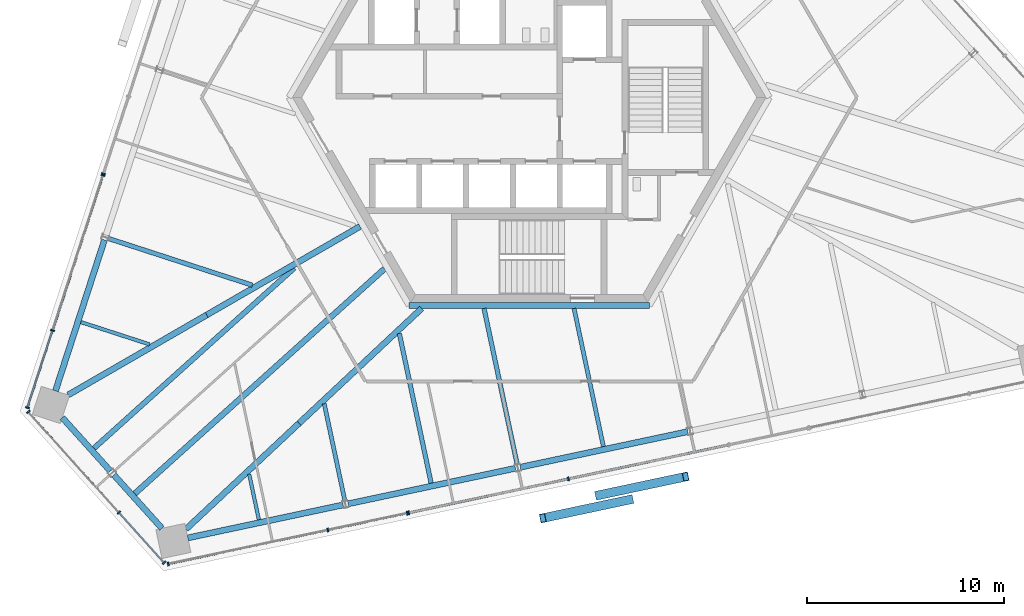
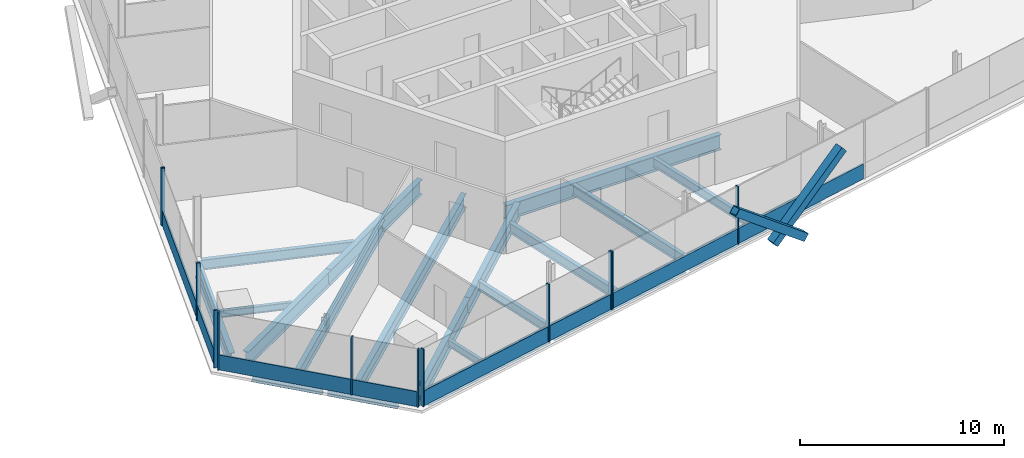
# One storey, part 4 of 15: 22 members, 20 beams, 5 elements without a shape of their own.
"""IFC4 building model written with IfcOpenShell, lengths in metres."""

from ifc_helpers import new_model, si_unit, direction, frame, origin, origin_2d, place, context, subcontext, project, spatial, rectangle, hollow_rectangle, i_section, extrude, source, transform, mapped, material, material_profile, profile_set, type_object, element, aggregate, save


model = new_model("IFC4")

# Units and contexts
model_context = context("Model", 3, precision=1e-05, world=origin(), true_north=direction((0.0, 1.0)))
body_context = subcontext(model_context, "Body", "Model", "MODEL_VIEW")
ifc_project = project(units=[si_unit("LENGTHUNIT", "METRE"), si_unit("AREAUNIT", "SQUARE_METRE"), si_unit("VOLUMEUNIT", "CUBIC_METRE"), si_unit("PLANEANGLEUNIT", "RADIAN"), si_unit("MASSUNIT", "GRAM", prefix="KILO")], contexts=[model_context])

# Site, building, storey
site_placement = place(None, origin())
site = spatial("IfcSite", under=ifc_project, at=site_placement, CompositionType="ELEMENT")
building_placement = place(site_placement, origin())
building = spatial("IfcBuilding", under=site, at=building_placement, Name="Triune Harvest Tower", CompositionType="ELEMENT")
storey_placement = place(building_placement, frame((0.0, 0.0, 277.5)))
storey = spatial("IfcBuildingStorey", under=building, at=storey_placement, Name="L73", CompositionType="ELEMENT", Elevation=277.5)

# Beams
ifc_material_1 = material(Name="Steel ASTM A992 Gr 50", Category="steel")
ifc_material_profile_1 = material_profile(ifc_material_1, i_section(OverallWidth=0.3046875, OverallDepth=0.914306640625, WebThickness=0.0166015625, FlangeThickness=0.02587890625, at=origin_2d()), Name="W36x160")
ifc_profile_set_1 = profile_set([ifc_material_profile_1], Name="Steel ASTM A992 Gr 50")
beam_type_1 = type_object("IfcBeamType", Name="CG-1 Core ring girder W36x160", PredefinedType="BEAM", material=ifc_profile_set_1)
shared_shape_1 = source(origin(), body_context, "Body", "SweptSolid", [
    extrude(i_section(OverallWidth=0.3046875, OverallDepth=0.914306640625, WebThickness=0.0166015625, FlangeThickness=0.02587890625, at=origin_2d()), origin(), (0.0, 0.0, 1.0), 12.17578125),
])
beam_1_placement = place(storey_placement, frame((-6.087890625, -10.544677734375, -0.6171875), z_axis=(1.0, 0.0, 0.0), x_axis=(0.0, 1.0, 0.0)))
element("IfcBeam", 1, at=beam_1_placement, inside=storey, type_object=beam_type_1, Name="beam/L73/CG5", PredefinedType="BEAM", context=body_context, shape_type="MappedRepresentation", body=[
    mapped(shared_shape_1, transform((0.0, 0.0, 0.0), scale=1.0)),
])
ifc_material_2 = material(Name="Steel ASTM A992 Gr 50", Category="steel")
ifc_material_profile_2 = material_profile(ifc_material_2, i_section(OverallWidth=0.3046875, OverallDepth=0.914306640625, WebThickness=0.0166015625, FlangeThickness=0.02587890625, at=origin_2d()), Name="W36x160")
ifc_profile_set_2 = profile_set([ifc_material_profile_2], Name="Steel ASTM A992 Gr 50")
beam_type_2 = type_object("IfcBeamType", Name="HG-3 Hip girder W36x160", PredefinedType="BEAM", material=ifc_profile_set_2)
shared_shape_2 = source(origin(), body_context, "Body", "SweptSolid", [
    extrude(i_section(OverallWidth=0.3046875, OverallDepth=0.914306640625, WebThickness=0.0166015625, FlangeThickness=0.02587890625, at=origin_2d()), origin(), (0.0, 0.0, 1.0), 8.97265625),
])
beam_2_placement = place(storey_placement, frame((-16.34619140625, -11.02734375, -0.6171875), z_axis=(0.866024277037, 0.500001951578, 0.0), x_axis=(-0.500001951578, 0.866024277037, 0.0)))
element("IfcBeam", 2, at=beam_2_placement, inside=storey, type_object=beam_type_2, Name="beam/L73/HG5", PredefinedType="BEAM", context=body_context, shape_type="MappedRepresentation", body=[
    mapped(shared_shape_2, transform((0.0, 0.0, 0.0), scale=1.0)),
])
ifc_material_3 = material(Name="Steel ASTM A992 Gr 50", Category="steel")
ifc_material_profile_3 = material_profile(ifc_material_3, i_section(OverallWidth=0.3046875, OverallDepth=0.914306640625, WebThickness=0.0166015625, FlangeThickness=0.02587890625, at=origin_2d()), Name="W36x160")
ifc_profile_set_3 = profile_set([ifc_material_profile_3], Name="Steel ASTM A992 Gr 50")
beam_type_3 = type_object("IfcBeamType", Name="SB-1 Spandrel beam W36x160", PredefinedType="SPANDREL", material=ifc_profile_set_3)
shared_shape_3 = source(origin(), body_context, "Body", "SweptSolid", [
    extrude(i_section(OverallWidth=0.3046875, OverallDepth=0.914306640625, WebThickness=0.0166015625, FlangeThickness=0.02587890625, at=origin_2d()), origin(), (0.0, 0.0, 1.0), 8.0498046875),
])
beam_3_placement = place(storey_placement, frame((-21.529296875, -7.220703125, -0.6171875), z_axis=(-0.30902160762, -0.951055017348, 0.0), x_axis=(0.951055017348, -0.30902160762, 0.0)))
element("IfcBeam", 3, at=beam_3_placement, inside=storey, type_object=beam_type_3, Name="beam/L73/SB12", PredefinedType="SPANDREL", context=body_context, shape_type="MappedRepresentation", body=[
    mapped(shared_shape_3, transform((0.0, 0.0, 0.0), scale=1.0)),
])
shared_shape_4 = source(origin(), body_context, "Body", "SweptSolid", [
    extrude(i_section(OverallWidth=0.3046875, OverallDepth=0.914306640625, WebThickness=0.0166015625, FlangeThickness=0.02587890625, at=origin_2d()), origin(), (0.0, 0.0, 1.0), 8.67138671875),
])
for number, where, z_axis, x_axis, name in (
    (4, (-9.1806640625, -20.603271484375, -0.6171875), (0.978145539793, 0.207921386546, 0.0), (-0.207921386546, 0.978145539793, 0.0), "beam/L73/SB16"),
    (5, (-0.44775390625, -18.7470703125, -0.6171875), (0.978145539793, 0.207921386546, 0.0), (-0.207921386546, 0.978145539793, 0.0), "beam/L73/SB17"),
):
    element("IfcBeam", number, at=place(storey_placement, frame(where, z_axis=z_axis, x_axis=x_axis)), inside=storey, type_object=beam_type_3, Name=name, PredefinedType="SPANDREL", context=body_context, shape_type="MappedRepresentation", body=[
        mapped(shared_shape_4, transform((0.0, 0.0, 0.0), scale=1.0)),
    ])
shared_shape_5 = source(origin(), body_context, "Body", "SweptSolid", [
    extrude(i_section(OverallWidth=0.3046875, OverallDepth=0.914306640625, WebThickness=0.0166015625, FlangeThickness=0.02587890625, at=origin_2d()), origin(), (0.0, 0.0, 1.0), 3.645751953125),
])
for number, where, z_axis, x_axis, name in (
    (6, (-23.669189453125, -16.2333984375, -0.6171875), (0.669138606654, -0.743137621901, 0.0), (0.743137621901, 0.669138606654, 0.0), "beam/L73/SB13"),
    (7, (-21.05810546875, -19.13330078125, -0.6171875), (0.669138606654, -0.743137621901, 0.0), (0.743137621901, 0.669138606654, 0.0), "beam/L73/SB14"),
):
    element("IfcBeam", number, at=place(storey_placement, frame(where, z_axis=z_axis, x_axis=x_axis)), inside=storey, type_object=beam_type_3, Name=name, PredefinedType="SPANDREL", context=body_context, shape_type="MappedRepresentation", body=[
        mapped(shared_shape_5, transform((0.0, 0.0, 0.0), scale=1.0)),
    ])
shared_shape_6 = source(origin(), body_context, "Body", "SweptSolid", [
    extrude(i_section(OverallWidth=0.3046875, OverallDepth=0.914306640625, WebThickness=0.0166015625, FlangeThickness=0.02587890625, at=origin_2d()), origin(), (0.0, 0.0, 1.0), 8.049560546875),
])
beam_4_placement = place(storey_placement, frame((-17.305419921875, -22.330322265625, -0.6171875), z_axis=(0.978148597907, 0.207906999431, 0.0), x_axis=(-0.207906999431, 0.978148597907, 0.0)))
element("IfcBeam", 8, at=beam_4_placement, inside=storey, type_object=beam_type_3, Name="beam/L73/SB15", PredefinedType="SPANDREL", context=body_context, shape_type="MappedRepresentation", body=[
    mapped(shared_shape_6, transform((0.0, 0.0, 0.0), scale=1.0)),
])
shared_shape_7 = source(origin(), body_context, "Body", "SweptSolid", [
    extrude(i_section(OverallWidth=0.3046875, OverallDepth=0.914306640625, WebThickness=0.0166015625, FlangeThickness=0.02587890625, at=origin_2d()), origin(), (0.0, 0.0, 1.0), 8.11572265625),
])
beam_5_placement = place(storey_placement, frame((-23.37451171875, -15.085205078125, -0.6171875), z_axis=(0.866022271607, 0.500005425051, 0.0), x_axis=(-0.500005425051, 0.866022271607, 0.0)))
element("IfcBeam", 9, at=beam_5_placement, inside=storey, type_object=beam_type_2, Name="beam/L73/HG4", PredefinedType="BEAM", context=body_context, shape_type="MappedRepresentation", body=[
    mapped(shared_shape_7, transform((0.0, 0.0, 0.0), scale=1.0)),
])
shared_shape_8 = source(origin(), body_context, "Body", "SweptSolid", [
    extrude(i_section(OverallWidth=0.3046875, OverallDepth=0.914306640625, WebThickness=0.0166015625, FlangeThickness=0.02587890625, at=origin_2d()), origin(), (0.0, 0.0, 1.0), 7.858642578125),
])
beam_6_placement = place(storey_placement, frame((-17.399658203125, -21.88720703125, -0.6171875), z_axis=(0.729902338859, 0.683551443367, 0.0), x_axis=(-0.683551443367, 0.729902338859, 0.0)))
element("IfcBeam", 10, at=beam_6_placement, inside=storey, type_object=beam_type_2, Name="beam/L73/HG6", PredefinedType="BEAM", context=body_context, shape_type="MappedRepresentation", body=[
    mapped(shared_shape_8, transform((0.0, 0.0, 0.0), scale=1.0)),
])
shared_shape_9 = source(origin(), body_context, "Body", "SweptSolid", [
    extrude(i_section(OverallWidth=0.3046875, OverallDepth=0.914306640625, WebThickness=0.0166015625, FlangeThickness=0.02587890625, at=origin_2d()), origin(), (0.0, 0.0, 1.0), 8.511962890625),
])
beam_7_placement = place(storey_placement, frame((-11.66357421875, -16.515380859375, -0.6171875), z_axis=(0.729902036757, 0.683551765954, 0.0), x_axis=(-0.683551765954, 0.729902036757, 0.0)))
element("IfcBeam", 11, at=beam_7_placement, inside=storey, type_object=beam_type_2, Name="beam/L73/HG7", PredefinedType="BEAM", context=body_context, shape_type="MappedRepresentation", body=[
    mapped(shared_shape_9, transform((0.0, 0.0, 0.0), scale=1.0)),
])
ifc_material_4 = material(Name="Steel ASTM A992 Gr 50", Category="steel")
ifc_material_profile_4 = material_profile(ifc_material_4, i_section(OverallWidth=0.180908203125, OverallDepth=0.41650390625, WebThickness=0.010986328125, FlangeThickness=0.01806640625, at=origin_2d()), Name="W16x57")
ifc_profile_set_4 = profile_set([ifc_material_profile_4], Name="Steel ASTM A992 Gr 50")
beam_type_4 = type_object("IfcBeamType", Name="JT-1 Floor joist W16x57", PredefinedType="JOIST", material=ifc_profile_set_4)
shared_shape_10 = source(origin(), body_context, "Body", "SweptSolid", [
    extrude(i_section(OverallWidth=0.180908203125, OverallDepth=0.41650390625, WebThickness=0.010986328125, FlangeThickness=0.01806640625, at=origin_2d()), origin(), (0.0, 0.0, 1.0), 2.364990234375),
])
beam_8_placement = place(storey_placement, frame((-13.704345703125, -21.4091796875, -0.368408203125), z_axis=(-0.207914315996, 0.978147042731, 0.0), x_axis=(-0.978147042731, -0.207914315996, 0.0)))
element("IfcBeam", 12, at=beam_8_placement, inside=storey, type_object=beam_type_4, Name="beam/L73/JT23", PredefinedType="JOIST", context=body_context, shape_type="MappedRepresentation", body=[
    mapped(shared_shape_10, transform((0.0, 0.0, 0.0), scale=1.0)),
])
ifc_material_5 = material(Name="Steel ASTM A992 Gr 50", Category="steel")
ifc_material_profile_5 = material_profile(ifc_material_5, i_section(OverallWidth=0.2099609375, OverallDepth=0.535888671875, WebThickness=0.010986328125, FlangeThickness=0.017333984375, at=origin_2d()), Name="W21x68")
ifc_profile_set_5 = profile_set([ifc_material_profile_5], Name="Steel ASTM A992 Gr 50")
beam_type_5 = type_object("IfcBeamType", Name="JT-2 Floor joist W21x68", PredefinedType="JOIST", material=ifc_profile_set_5)
shared_shape_11 = source(origin(), body_context, "Body", "SweptSolid", [
    extrude(i_section(OverallWidth=0.2099609375, OverallDepth=0.535888671875, WebThickness=0.010986328125, FlangeThickness=0.017333984375, at=origin_2d()), origin(), (0.0, 0.0, 1.0), 5.031982421875),
])
beam_9_placement = place(storey_placement, frame((-9.34375, -20.45361328125, -0.427978515625), z_axis=(-0.207895312057, 0.978151082004, 0.0), x_axis=(-0.978151082004, -0.207895312057, 0.0)))
element("IfcBeam", 13, at=beam_9_placement, inside=storey, type_object=beam_type_5, Name="beam/L73/JT24", PredefinedType="JOIST", context=body_context, shape_type="MappedRepresentation", body=[
    mapped(shared_shape_11, transform((0.0, 0.0, 0.0), scale=1.0)),
])
ifc_material_6 = material(Name="Steel ASTM A992 Gr 50", Category="steel")
ifc_material_profile_6 = material_profile(ifc_material_6, i_section(OverallWidth=0.22900390625, OverallDepth=0.612060546875, WebThickness=0.011962890625, FlangeThickness=0.01953125, at=origin_2d()), Name="W24x84")
ifc_profile_set_6 = profile_set([ifc_material_profile_6], Name="Steel ASTM A992 Gr 50")
beam_type_6 = type_object("IfcBeamType", Name="JT-3 Floor joist W24x84", PredefinedType="JOIST", material=ifc_profile_set_6)
shared_shape_12 = source(origin(), body_context, "Body", "SweptSolid", [
    extrude(i_section(OverallWidth=0.22900390625, OverallDepth=0.612060546875, WebThickness=0.011962890625, FlangeThickness=0.01953125, at=origin_2d()), origin(), (0.0, 0.0, 1.0), 7.755126953125),
])
beam_10_placement = place(storey_placement, frame((-4.971435546875, -19.552734375, -0.466064453125), z_axis=(-0.20790130149, 0.978149808996, 0.0), x_axis=(-0.978149808996, -0.20790130149, 0.0)))
element("IfcBeam", 14, at=beam_10_placement, inside=storey, type_object=beam_type_6, Name="beam/L73/JT25", PredefinedType="JOIST", context=body_context, shape_type="MappedRepresentation", body=[
    mapped(shared_shape_12, transform((0.0, 0.0, 0.0), scale=1.0)),
])
shared_shape_13 = source(origin(), body_context, "Body", "SweptSolid", [
    extrude(i_section(OverallWidth=0.22900390625, OverallDepth=0.612060546875, WebThickness=0.011962890625, FlangeThickness=0.01953125, at=origin_2d()), origin(), (0.0, 0.0, 1.0), 8.076904296875),
])
beam_11_placement = place(storey_placement, frame((-0.61083984375, -18.597412109375, -0.466064453125), z_axis=(-0.207902137341, 0.978149631339, 0.0), x_axis=(-0.978149631339, -0.207902137341, 0.0)))
element("IfcBeam", 15, at=beam_11_placement, inside=storey, type_object=beam_type_6, Name="beam/L73/JT26", PredefinedType="JOIST", context=body_context, shape_type="MappedRepresentation", body=[
    mapped(shared_shape_13, transform((0.0, 0.0, 0.0), scale=1.0)),
])
shared_shape_14 = source(origin(), body_context, "Body", "SweptSolid", [
    extrude(i_section(OverallWidth=0.22900390625, OverallDepth=0.612060546875, WebThickness=0.011962890625, FlangeThickness=0.01953125, at=origin_2d()), origin(), (0.0, 0.0, 1.0), 7.6533203125),
])
beam_12_placement = place(storey_placement, frame((-21.318115234375, -7.154541015625, -0.466064453125), z_axis=(0.951057977144, -0.309012498309, 0.0), x_axis=(0.309012498309, 0.951057977144, 0.0)))
element("IfcBeam", 16, at=beam_12_placement, inside=storey, type_object=beam_type_6, Name="beam/L73/JT19", PredefinedType="JOIST", context=body_context, shape_type="MappedRepresentation", body=[
    mapped(shared_shape_14, transform((0.0, 0.0, 0.0), scale=1.0)),
])
shared_shape_15 = source(origin(), body_context, "Body", "SweptSolid", [
    extrude(i_section(OverallWidth=0.180908203125, OverallDepth=0.41650390625, WebThickness=0.010986328125, FlangeThickness=0.01806640625, at=origin_2d()), origin(), (0.0, 0.0, 1.0), 3.661865234375),
])
beam_13_placement = place(storey_placement, frame((-22.72412109375, -11.391357421875, -0.368408203125), z_axis=(0.951056113966, -0.309018232614, 0.0), x_axis=(0.309018232614, 0.951056113966, 0.0)))
element("IfcBeam", 17, at=beam_13_placement, inside=storey, type_object=beam_type_4, Name="beam/L73/JT20", PredefinedType="JOIST", context=body_context, shape_type="MappedRepresentation", body=[
    mapped(shared_shape_15, transform((0.0, 0.0, 0.0), scale=1.0)),
])
ifc_material_7 = material(Name="Steel ASTM A992 Gr 50", Category="steel")
ifc_material_profile_7 = material_profile(ifc_material_7, i_section(OverallWidth=0.2666015625, OverallDepth=0.7568359375, WebThickness=0.013916015625, FlangeThickness=0.019287109375, at=origin_2d()), Name="W30x108")
ifc_profile_set_7 = profile_set([ifc_material_profile_7], Name="Steel ASTM A992 Gr 50")
beam_type_7 = type_object("IfcBeamType", Name="JT-5 Floor joist W30x108", PredefinedType="JOIST", material=ifc_profile_set_7)
shared_shape_16 = source(origin(), body_context, "Body", "SweptSolid", [
    extrude(i_section(OverallWidth=0.2666015625, OverallDepth=0.7568359375, WebThickness=0.013916015625, FlangeThickness=0.019287109375, at=origin_2d()), origin(), (0.0, 0.0, 1.0), 13.667724609375),
])
beam_14_placement = place(storey_placement, frame((-22.0654296875, -17.78662109375, -0.53857421875), z_axis=(0.743148465952, 0.66912656318, 0.0), x_axis=(-0.66912656318, 0.743148465952, 0.0)))
element("IfcBeam", 18, at=beam_14_placement, inside=storey, type_object=beam_type_7, Name="beam/L73/JT21", PredefinedType="JOIST", context=body_context, shape_type="MappedRepresentation", body=[
    mapped(shared_shape_16, transform((0.0, 0.0, 0.0), scale=1.0)),
])
ifc_material_8 = material(Name="Steel ASTM A992 Gr 50", Category="steel")
ifc_material_profile_8 = material_profile(ifc_material_8, i_section(OverallWidth=0.2919921875, OverallDepth=0.8408203125, WebThickness=0.0146484375, FlangeThickness=0.021728515625, at=origin_2d()), Name="W33x130")
ifc_profile_set_8 = profile_set([ifc_material_profile_8], Name="Steel ASTM A992 Gr 50")
beam_type_8 = type_object("IfcBeamType", Name="JT-6 Floor joist W33x130", PredefinedType="JOIST", material=ifc_profile_set_8)
shared_shape_17 = source(origin(), body_context, "Body", "SweptSolid", [
    extrude(i_section(OverallWidth=0.2919921875, OverallDepth=0.8408203125, WebThickness=0.0146484375, FlangeThickness=0.021728515625, at=origin_2d()), origin(), (0.0, 0.0, 1.0), 17.03466796875),
])
beam_15_placement = place(storey_placement, frame((-19.99560546875, -20.08544921875, -0.580322265625), z_axis=(0.743143047387, 0.669132581123, 0.0), x_axis=(-0.669132581123, 0.743143047387, 0.0)))
element("IfcBeam", 19, at=beam_15_placement, inside=storey, type_object=beam_type_8, Name="beam/L73/JT22", PredefinedType="JOIST", context=body_context, shape_type="MappedRepresentation", body=[
    mapped(shared_shape_17, transform((0.0, 0.0, 0.0), scale=1.0)),
])
shared_shape_18 = source(origin(), body_context, "Body", "SweptSolid", [
    extrude(i_section(OverallWidth=0.2099609375, OverallDepth=0.535888671875, WebThickness=0.010986328125, FlangeThickness=0.017333984375, at=origin_2d()), origin(), (0.0, 0.0, 1.0), 7.156005859375),
])
beam_16_placement = place(storey_placement, frame((3.761474609375, -17.696533203125, -0.427978515625), z_axis=(-0.207911801049, 0.978147577303, 0.0), x_axis=(-0.978147577303, -0.207911801049, 0.0)))
element("IfcBeam", 20, at=beam_16_placement, inside=storey, type_object=beam_type_5, Name="beam/L73/JT27", PredefinedType="JOIST", context=body_context, shape_type="MappedRepresentation", body=[
    mapped(shared_shape_18, transform((0.0, 0.0, 0.0), scale=1.0)),
])

# Members
ifc_material_9 = material(Name="Steel ASTM A572 Gr 50", Category="steel")
ifc_material_profile_9 = material_profile(ifc_material_9, hollow_rectangle(XDim=0.449951171875, YDim=0.449951171875, WallThickness=0.02490234375, at=origin_2d()), Name="Box 450x450x25")
ifc_profile_set_9 = profile_set([ifc_material_profile_9], Name="Steel ASTM A572 Gr 50")
member_type_1 = type_object("IfcMemberType", Name="BR-4 Brace Box 450x450x25", PredefinedType="BRACE", material=ifc_profile_set_9)
shared_shape_19 = source(origin(), body_context, "Body", "SweptSolid", [
    extrude(hollow_rectangle(XDim=0.449951171875, YDim=0.449951171875, WallThickness=0.02490234375, at=origin_2d()), origin(), (0.0, 0.0, 1.0), 5.789306640625),
])
for number, where, z_axis, x_axis, name in (
    (21, (3.49755859375, -20.16845703125, 0.0), (0.766009436387, 0.162825502857, 0.621866061934), (-0.207918008245, 0.978146257902, 0.0), "brace/B7-F5/d1/6"),
    (22, (5.12255859375, -20.38525390625, 0.0), (-0.766026862196, -0.162820243046, 0.621845973572), (0.20790705694, -0.978148585683, 0.0), "brace/B7-F5/d2/6"),
):
    element("IfcMember", number, at=place(storey_placement, frame(where, z_axis=z_axis, x_axis=x_axis)), inside=storey, type_object=member_type_1, Name=name, PredefinedType="BRACE", context=body_context, shape_type="MappedRepresentation", body=[
        mapped(shared_shape_19, transform((0.0, 0.0, 0.0), scale=1.0)),
    ])

# Curtain wall, member
ifc_material_10 = material(Name="Aluminium bronze anodised", Category="aluminium")
curtain_wall_type_1 = type_object("IfcCurtainWallType", Name="CW-7 Tower stick curtain wall with insulated spandrel infill", PredefinedType="NOTDEFINED", material=ifc_material_10)
curtain_wall_1_placement = place(storey_placement, origin())
curtain_wall_1 = element("IfcCurtainWall", 23, at=curtain_wall_1_placement, inside=storey, type_object=curtain_wall_type_1, Name="CW-7 B7-F3 L73 run 1001")
ifc_material_11 = material(Name="Aluminium bronze anodised", Category="aluminium")
ifc_material_profile_10 = material_profile(ifc_material_11, rectangle(XDim=0.199951171875, YDim=0.074951171875, at=origin_2d()), Name="MU-1 mullion 75 x 200")
ifc_profile_set_10 = profile_set([ifc_material_profile_10], Name="Aluminium bronze anodised")
member_type_2 = type_object("IfcMemberType", Name="MU-1 mullion 75 x 200", PredefinedType="MULLION", material=ifc_profile_set_10)
shared_shape_20 = source(origin(), body_context, "Body", "SweptSolid", [
    extrude(rectangle(XDim=0.199951171875, YDim=0.074951171875, at=origin_2d()), origin(), (0.0, 0.0, 1.0), 3.43994140625),
])
member_1_placement = place(storey_placement, frame((-21.582763671875, -3.8720703125, 0.0), z_axis=(0.0, 0.0, 1.0), x_axis=(0.951055533932, -0.309020017761, 0.0)))
member_1 = element("IfcMember", 24, at=member_1_placement, type_object=member_type_2, Name="CW-7 mullion B7-F3 1001.6", PredefinedType="MULLION", context=body_context, shape_type="MappedRepresentation", body=[
    mapped(shared_shape_20, transform((0.0, 0.0, 0.0), scale=1.0)),
])
aggregate(curtain_wall_1, [member_1])

# Curtain wall, members
ifc_material_12 = material(Name="Aluminium bronze anodised", Category="aluminium")
curtain_wall_type_2 = type_object("IfcCurtainWallType", Name="CW-1 Tower stick curtain wall", PredefinedType="NOTDEFINED", material=ifc_material_12)
curtain_wall_2_placement = place(storey_placement, origin())
curtain_wall_2 = element("IfcCurtainWall", 25, at=curtain_wall_2_placement, inside=storey, type_object=curtain_wall_type_2, Name="CW-1 B7-F3 L73 run 2001")
member_2_placement = place(storey_placement, frame((-21.60595703125, -3.943359375, 0.0), z_axis=(0.0, 0.0, 1.0), x_axis=(0.951057715783, -0.309013302707, 0.0)))
member_2 = element("IfcMember", 26, at=member_2_placement, type_object=member_type_2, Name="CW-1 mullion B7-F3 2001.1", PredefinedType="MULLION", context=body_context, shape_type="MappedRepresentation", body=[
    mapped(shared_shape_20, transform((0.0, 0.0, 0.0), scale=1.0)),
])
member_3_placement = place(storey_placement, frame((-24.162841796875, -11.8125, 0.0), z_axis=(0.0, 0.0, 1.0), x_axis=(0.951057715783, -0.309013302707, 0.0)))
member_3 = element("IfcMember", 27, at=member_3_placement, type_object=member_type_2, Name="CW-1 mullion B7-F3 2001.3", PredefinedType="MULLION", context=body_context, shape_type="MappedRepresentation", body=[
    mapped(shared_shape_20, transform((0.0, 0.0, 0.0), scale=1.0)),
])
member_4_placement = place(storey_placement, frame((-25.435302734375, -15.729248046875, 0.0), z_axis=(0.0, 0.0, 1.0), x_axis=(0.951057715783, -0.309013302707, 0.0)))
member_4 = element("IfcMember", 28, at=member_4_placement, type_object=member_type_2, Name="CW-1 mullion B7-F3 2001.4", PredefinedType="MULLION", context=body_context, shape_type="MappedRepresentation", body=[
    mapped(shared_shape_20, transform((0.0, 0.0, 0.0), scale=1.0)),
])

curtain_wall_3_placement = place(storey_placement, origin())
curtain_wall_3 = element("IfcCurtainWall", 29, at=curtain_wall_3_placement, inside=storey, type_object=curtain_wall_type_2, Name="CW-1 B7-F4 L73 run 1")
member_5_placement = place(storey_placement, frame((-25.389404296875, -15.9453125, 0.0), z_axis=(0.0, 0.0, 1.0), x_axis=(0.743143542297, 0.669132031472, 0.0)))
member_5 = element("IfcMember", 30, at=member_5_placement, type_object=member_type_2, Name="CW-1 mullion B7-F4 1.1", PredefinedType="MULLION", context=body_context, shape_type="MappedRepresentation", body=[
    mapped(shared_shape_20, transform((0.0, 0.0, 0.0), scale=1.0)),
])
member_6_placement = place(storey_placement, frame((-20.7958984375, -21.046875, 0.0), z_axis=(0.0, 0.0, 1.0), x_axis=(0.743143542297, 0.669132031472, 0.0)))
member_6 = element("IfcMember", 31, at=member_6_placement, type_object=member_type_2, Name="CW-1 mullion B7-F4 1.3", PredefinedType="MULLION", context=body_context, shape_type="MappedRepresentation", body=[
    mapped(shared_shape_20, transform((0.0, 0.0, 0.0), scale=1.0)),
])
member_7_placement = place(storey_placement, frame((-18.51171875, -23.583740234375, 0.0), z_axis=(0.0, 0.0, 1.0), x_axis=(0.743143542297, 0.669132031472, 0.0)))
member_7 = element("IfcMember", 32, at=member_7_placement, type_object=member_type_2, Name="CW-1 mullion B7-F4 1.4", PredefinedType="MULLION", context=body_context, shape_type="MappedRepresentation", body=[
    mapped(shared_shape_20, transform((0.0, 0.0, 0.0), scale=1.0)),
])

curtain_wall_4_placement = place(storey_placement, origin())
curtain_wall_4 = element("IfcCurtainWall", 33, at=curtain_wall_4_placement, inside=storey, type_object=curtain_wall_type_2, Name="CW-1 B7-F5 L73 run 1")
member_8_placement = place(storey_placement, frame((-18.3017578125, -23.65185546875, 0.0), z_axis=(0.0, 0.0, 1.0), x_axis=(-0.207909221248, 0.978148125654, 0.0)))
member_8 = element("IfcMember", 34, at=member_8_placement, type_object=member_type_2, Name="CW-1 mullion B7-F5 1.1", PredefinedType="MULLION", context=body_context, shape_type="MappedRepresentation", body=[
    mapped(shared_shape_20, transform((0.0, 0.0, 0.0), scale=1.0)),
])
member_9_placement = place(storey_placement, frame((-10.20849609375, -21.931640625, 0.0), z_axis=(0.0, 0.0, 1.0), x_axis=(-0.207909221248, 0.978148125654, 0.0)))
member_9 = element("IfcMember", 35, at=member_9_placement, type_object=member_type_2, Name="CW-1 mullion B7-F5 1.3", PredefinedType="MULLION", context=body_context, shape_type="MappedRepresentation", body=[
    mapped(shared_shape_20, transform((0.0, 0.0, 0.0), scale=1.0)),
])
member_10_placement = place(storey_placement, frame((-6.18017578125, -21.075439453125, 0.0), z_axis=(0.0, 0.0, 1.0), x_axis=(-0.207909221248, 0.978148125654, 0.0)))
member_10 = element("IfcMember", 36, at=member_10_placement, type_object=member_type_2, Name="CW-1 mullion B7-F5 1.4", PredefinedType="MULLION", context=body_context, shape_type="MappedRepresentation", body=[
    mapped(shared_shape_20, transform((0.0, 0.0, 0.0), scale=1.0)),
])

curtain_wall_5_placement = place(storey_placement, origin())
curtain_wall_5 = element("IfcCurtainWall", 37, at=curtain_wall_5_placement, inside=storey, type_object=curtain_wall_type_1, Name="CW-7 B7-F5 L73 run 1001")
member_11_placement = place(storey_placement, frame((-6.10693359375, -21.059814453125, 0.0), z_axis=(0.0, 0.0, 1.0), x_axis=(-0.207913090389, 0.978147303245, 0.0)))
member_11 = element("IfcMember", 38, at=member_11_placement, type_object=member_type_2, Name="CW-7 mullion B7-F5 1001.1", PredefinedType="MULLION", context=body_context, shape_type="MappedRepresentation", body=[
    mapped(shared_shape_20, transform((0.0, 0.0, 0.0), scale=1.0)),
])
member_12_placement = place(storey_placement, frame((1.986328125, -19.339599609375, 0.0), z_axis=(0.0, 0.0, 1.0), x_axis=(-0.207913090389, 0.978147303245, 0.0)))
member_12 = element("IfcMember", 39, at=member_12_placement, type_object=member_type_2, Name="CW-7 mullion B7-F5 1001.3", PredefinedType="MULLION", context=body_context, shape_type="MappedRepresentation", body=[
    mapped(shared_shape_20, transform((0.0, 0.0, 0.0), scale=1.0)),
])

# Member
ifc_material_13 = material(Name="Aluminium bronze anodised", Category="aluminium")
ifc_material_profile_11 = material_profile(ifc_material_13, rectangle(XDim=0.090087890625, YDim=0.89990234375, at=origin_2d()), Name="TR-1 transom 90 x 900")
ifc_profile_set_11 = profile_set([ifc_material_profile_11], Name="Aluminium bronze anodised")
member_type_3 = type_object("IfcMemberType", Name="TR-1 transom 90 x 900", PredefinedType="USERDEFINED", material=ifc_profile_set_11)
shared_shape_21 = source(origin(), body_context, "Body", "SweptSolid", [
    extrude(rectangle(XDim=0.090087890625, YDim=0.89990234375, at=origin_2d()), origin(), (0.0, 0.0, 1.0), 6.7900390625),
])
member_13_placement = place(storey_placement, frame((-25.364501953125, -15.97314453125, 0.449951171875), z_axis=(0.669139526396, -0.743136793743, 0.0), x_axis=(0.743136793743, 0.669139526396, 0.0)))
member_13 = element("IfcMember", 40, at=member_13_placement, type_object=member_type_3, Name="CW-1 transom B7-F4 1.1", ObjectType="TRANSOM", PredefinedType="USERDEFINED", context=body_context, shape_type="MappedRepresentation", body=[
    mapped(shared_shape_21, transform((0.0, 0.0, 0.0), scale=1.0)),
])

shared_shape_22 = source(origin(), body_context, "Body", "SweptSolid", [
    extrude(rectangle(XDim=0.090087890625, YDim=0.89990234375, at=origin_2d()), origin(), (0.0, 0.0, 1.0), 3.338623046875),
])
member_14_placement = place(storey_placement, frame((-20.77099609375, -21.07470703125, 0.449951171875), z_axis=(0.66917479026, -0.743105039736, 0.0), x_axis=(0.743105039736, 0.66917479026, 0.0)))
member_14 = element("IfcMember", 41, at=member_14_placement, type_object=member_type_3, Name="CW-1 transom B7-F4 1.2", ObjectType="TRANSOM", PredefinedType="USERDEFINED", context=body_context, shape_type="MappedRepresentation", body=[
    mapped(shared_shape_22, transform((0.0, 0.0, 0.0), scale=1.0)),
])

aggregate(curtain_wall_3, [member_5, member_6, member_7, member_13, member_14])

shared_shape_23 = source(origin(), body_context, "Body", "SweptSolid", [
    extrude(rectangle(XDim=0.090087890625, YDim=0.89990234375, at=origin_2d()), origin(), (0.0, 0.0, 1.0), 8.198974609375),
])
member_15_placement = place(storey_placement, frame((-21.61767578125, -3.97900390625, 0.449951171875), z_axis=(-0.308991809103, -0.951064699117, 0.0), x_axis=(0.951064699117, -0.308991809103, 0.0)))
member_15 = element("IfcMember", 42, at=member_15_placement, type_object=member_type_3, Name="CW-1 transom B7-F3 2001.1", ObjectType="TRANSOM", PredefinedType="USERDEFINED", context=body_context, shape_type="MappedRepresentation", body=[
    mapped(shared_shape_23, transform((0.0, 0.0, 0.0), scale=1.0)),
])

member_16_placement = place(storey_placement, frame((-6.070068359375, -21.052001953125, 0.449951171875), z_axis=(0.978149238743, 0.207903984441, 0.0), x_axis=(-0.207903984441, 0.978149238743, 0.0)))
member_16 = element("IfcMember", 43, at=member_16_placement, type_object=member_type_3, Name="CW-7 transom B7-F5 1001.1", ObjectType="TRANSOM", PredefinedType="USERDEFINED", context=body_context, shape_type="MappedRepresentation", body=[
    mapped(shared_shape_23, transform((0.0, 0.0, 0.0), scale=1.0)),
])

shared_shape_24 = source(origin(), body_context, "Body", "SweptSolid", [
    extrude(rectangle(XDim=0.090087890625, YDim=0.89990234375, at=origin_2d()), origin(), (0.0, 0.0, 1.0), 8.19921875),
])
member_17_placement = place(storey_placement, frame((-18.26513671875, -23.64404296875, 0.449951171875), z_axis=(0.978150525776, 0.207897929101, 0.0), x_axis=(-0.207897929101, 0.978150525776, 0.0)))
member_17 = element("IfcMember", 44, at=member_17_placement, type_object=member_type_3, Name="CW-1 transom B7-F5 1.1", ObjectType="TRANSOM", PredefinedType="USERDEFINED", context=body_context, shape_type="MappedRepresentation", body=[
    mapped(shared_shape_24, transform((0.0, 0.0, 0.0), scale=1.0)),
])

shared_shape_25 = source(origin(), body_context, "Body", "SweptSolid", [
    extrude(rectangle(XDim=0.090087890625, YDim=0.89990234375, at=origin_2d()), origin(), (0.0, 0.0, 1.0), 4.04345703125),
])
member_18_placement = place(storey_placement, frame((-24.17431640625, -11.84814453125, 0.449951171875), z_axis=(-0.309027363751, -0.951053147018, 0.0), x_axis=(0.951053147018, -0.309027363751, 0.0)))
member_18 = element("IfcMember", 45, at=member_18_placement, type_object=member_type_3, Name="CW-1 transom B7-F3 2001.2", ObjectType="TRANSOM", PredefinedType="USERDEFINED", context=body_context, shape_type="MappedRepresentation", body=[
    mapped(shared_shape_25, transform((0.0, 0.0, 0.0), scale=1.0)),
])

aggregate(curtain_wall_2, [member_2, member_3, member_4, member_15, member_18])

member_19_placement = place(storey_placement, frame((-10.171875, -21.923828125, 0.449951171875), z_axis=(0.978152712315, 0.207887641265, 0.0), x_axis=(-0.207887641265, 0.978152712315, 0.0)))
member_19 = element("IfcMember", 46, at=member_19_placement, type_object=member_type_3, Name="CW-1 transom B7-F5 1.2", ObjectType="TRANSOM", PredefinedType="USERDEFINED", context=body_context, shape_type="MappedRepresentation", body=[
    mapped(shared_shape_25, transform((0.0, 0.0, 0.0), scale=1.0)),
])

aggregate(curtain_wall_4, [member_8, member_9, member_10, member_17, member_19])

shared_shape_26 = source(origin(), body_context, "Body", "SweptSolid", [
    extrude(rectangle(XDim=0.090087890625, YDim=0.89990234375, at=origin_2d()), origin(), (0.0, 0.0, 1.0), 8.236328125),
])
member_20_placement = place(storey_placement, frame((2.023193359375, -19.331787109375, 0.449951171875), z_axis=(0.978142500488, 0.20793568414, 0.0), x_axis=(-0.20793568414, 0.978142500488, 0.0)))
member_20 = element("IfcMember", 47, at=member_20_placement, type_object=member_type_3, Name="CW-7 transom B7-F5 1001.2", ObjectType="TRANSOM", PredefinedType="USERDEFINED", context=body_context, shape_type="MappedRepresentation", body=[
    mapped(shared_shape_26, transform((0.0, 0.0, 0.0), scale=1.0)),
])

aggregate(curtain_wall_5, [member_11, member_12, member_16, member_20])

save(model, "model.ifc")
